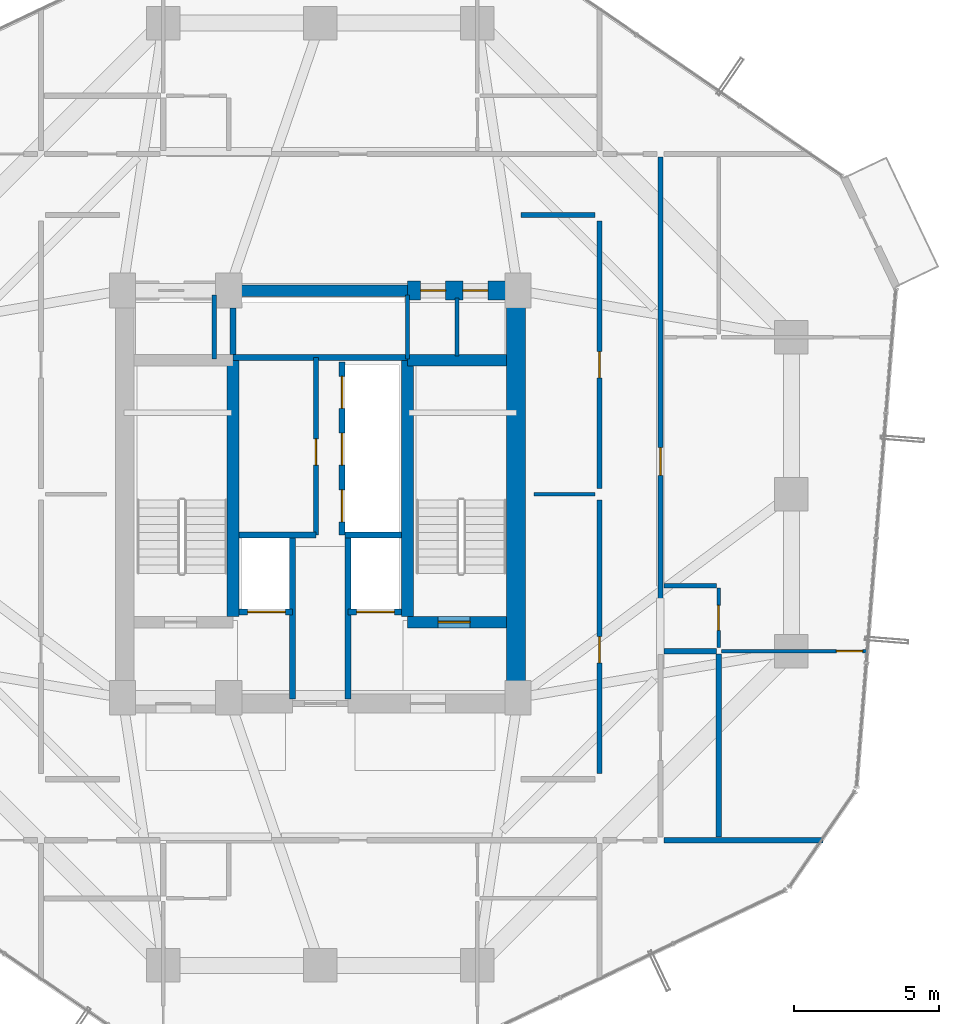
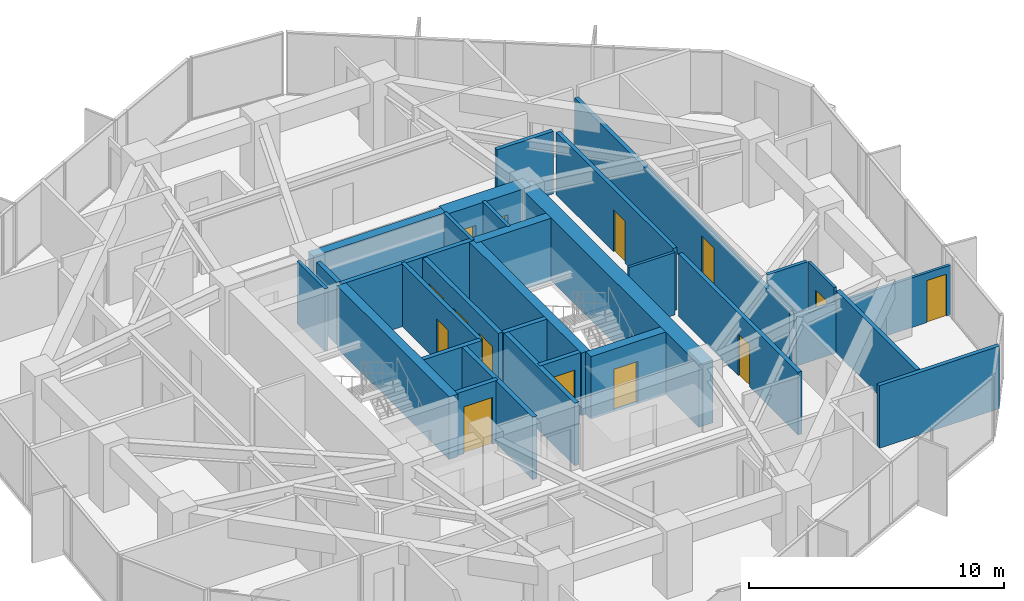
# One storey, part 27 of 30: 31 walls, 14 doors, 14 openings.
"""IFC4 building model written with IfcOpenShell, lengths in metres."""

from ifc_helpers import new_model, si_unit, direction, frame, frame_2d, origin, place, context, subcontext, project, spatial, rectangle, extrude, source, transform, mapped, material, layer, layer_set, type_object, element, fill, save


model = new_model("IFC4")

# Units and contexts
model_context = context("Model", 3, precision=1e-05, world=origin(), true_north=direction((0.0, 1.0)))
body_context = subcontext(model_context, "Body", "Model", "MODEL_VIEW")
ifc_project = project(units=[si_unit("LENGTHUNIT", "METRE"), si_unit("AREAUNIT", "SQUARE_METRE"), si_unit("VOLUMEUNIT", "CUBIC_METRE"), si_unit("PLANEANGLEUNIT", "RADIAN"), si_unit("MASSUNIT", "GRAM", prefix="KILO")], contexts=[model_context])

# Site, building, storey
site_placement = place(None, origin())
site = spatial("IfcSite", under=ifc_project, at=site_placement, CompositionType="ELEMENT")
building_placement = place(site_placement, origin())
building = spatial("IfcBuilding", under=site, at=building_placement, Name="Veraguas Prism Commons", CompositionType="ELEMENT")
storey_placement = place(building_placement, frame((0.0, 0.0, 113.25)))
storey = spatial("IfcBuildingStorey", under=building, at=storey_placement, Name="L31", CompositionType="ELEMENT", Elevation=113.25)

# Wall
ifc_material_1 = material(Name="Concrete C50/60", Category="concrete")
ifc_layer_1 = layer(ifc_material_1, 0.39990234375, Name="Clinic and Mid Core Shear Wall RC 400", Category="concrete")
ifc_layer_set_1 = layer_set([ifc_layer_1], Name="Concrete C50/60")
wall_type_1 = type_object("IfcWallType", Name="Clinic and Mid Core Shear Wall RC 400", PredefinedType="SHEAR", material=ifc_layer_set_1)
wall_1_placement = place(storey_placement, frame((21.0, 31.0, 0.0), z_axis=(0.0, 0.0, 1.0), x_axis=(1.0, 0.0, 0.0)))
element("IfcWall", 1, at=wall_1_placement, inside=storey, type_object=wall_type_1, Name="High-Rise Lift Bank Front Shear Wall L31", PredefinedType="SHEAR", context=body_context, shape_type="SweptSolid", body=[
    extrude(rectangle(XDim=6.0, YDim=0.39990234375, at=frame_2d((3.0, 0.0))), origin(), (0.0, 0.0, 1.0), 3.0),
])

# Wall, opening, door
wall_2_placement = place(storey_placement, frame((27.0, 19.60009765625, 0.0), z_axis=(0.0, 0.0, 1.0), x_axis=(1.0, 0.0, 0.0)))
wall_2 = element("IfcWall", 2, at=wall_2_placement, inside=storey, type_object=wall_type_1, Name="Stair ST-02 South Shear Wall L31", PredefinedType="SHEAR", context=body_context, shape_type="SweptSolid", body=[
    extrude(rectangle(XDim=3.39990234375, YDim=0.39990234375, at=frame_2d((1.699951171875, 0.0))), origin(), (0.0, 0.0, 1.0), 3.0),
])
opening_1_placement = place(wall_2_placement, frame((1.050048828125, 0.0, 0.0)))
opening_1 = element("IfcOpeningElement", 3, at=opening_1_placement, cuts=wall_2, Name="Opening DR-05", PredefinedType="OPENING", context=body_context, shape_type="SweptSolid", body=[
    extrude(rectangle(XDim=1.10009765625, YDim=2.030029296875, at=frame_2d((0.550048828125, 1.01513671875))), frame((0.0, 0.2099609375, 0.0), z_axis=(0.0, -1.0, 0.0), x_axis=(1.0, 0.0, 0.0)), (0.0, 0.0, 1.0), 0.419921875),
])
ifc_material_2 = material(Name="Steel fire-rated door assembly", Category="steel")
door_type_1 = type_object("IfcDoorType", Name="Protected Stair and Refuge Fire Door 1100x2030", OperationType="NOTDEFINED", PredefinedType="DOOR", material=ifc_material_2)
shared_shape_1 = source(origin(), body_context, "Body", "SweptSolid", [
    extrude(rectangle(XDim=1.10009765625, YDim=2.030029296875, at=frame_2d((0.550048828125, 1.01513671875))), frame((0.0, 0.02490234375, 0.0), z_axis=(0.0, -1.0, 0.0), x_axis=(1.0, 0.0, 0.0)), (0.0, 0.0, 1.0), 0.050048828125),
])
door_1_placement = place(opening_1_placement, origin())
door_1 = element("IfcDoor", 4, at=door_1_placement, inside=storey, type_object=door_type_1, Name="Stair ST-02 Enclosure Door L31", OperationType="SINGLE_SWING_RIGHT", OverallHeight=2.030029296875, OverallWidth=1.10009765625, PredefinedType="DOOR", context=body_context, shape_type="MappedRepresentation", body=[
    mapped(shared_shape_1, transform((0.0, 0.0, 0.0), scale=1.0)),
])
fill(opening_1, door_1)

# Walls
for number, where, z_axis, x_axis, name in (
    (5, (21.0, 19.800048828125, 0.0), (0.0, 0.0, 1.0), (0.0, 1.0, 0.0), "Stair ST-01 Inner Shear Wall L31"),
    (6, (27.0, 19.800048828125, 0.0), (0.0, 0.0, 1.0), (0.0, 1.0, 0.0), "Stair ST-02 Inner Shear Wall L31"),
):
    element("IfcWall", number, at=place(storey_placement, frame(where, z_axis=z_axis, x_axis=x_axis)), inside=storey, type_object=wall_type_1, Name=name, PredefinedType="SHEAR", context=body_context, shape_type="SweptSolid", body=[
        extrude(rectangle(XDim=8.800048828125, YDim=0.39990234375, at=frame_2d((4.39990234375, 0.0))), origin(), (0.0, 0.0, 1.0), 3.0),
    ])
wall_3_placement = place(storey_placement, frame((27.0, 28.60009765625, 0.0), z_axis=(0.0, 0.0, 1.0), x_axis=(1.0, 0.0, 0.0)))
element("IfcWall", 7, at=wall_3_placement, inside=storey, type_object=wall_type_1, Name="Stair ST-02 North Shear Wall L31", PredefinedType="SHEAR", context=body_context, shape_type="SweptSolid", body=[
    extrude(rectangle(XDim=3.39990234375, YDim=0.39990234375, at=frame_2d((1.699951171875, 0.0))), origin(), (0.0, 0.0, 1.0), 3.0),
])
ifc_material_3 = material(Name="Concrete C55/67", Category="concrete")
ifc_layer_2 = layer(ifc_material_3, 0.64990234375, Name="Core Outer Shear Wall Mid RC 650", Category="concrete")
ifc_layer_set_2 = layer_set([ifc_layer_2], Name="Concrete C55/67")
wall_type_2 = type_object("IfcWallType", Name="Core Outer Shear Wall Mid RC 650", PredefinedType="SHEAR", material=ifc_layer_set_2)
wall_4_placement = place(storey_placement, frame((30.72509765625, 16.800048828125, 0.0), z_axis=(0.0, 0.0, 1.0), x_axis=(0.0, 1.0, 0.0)))
element("IfcWall", 8, at=wall_4_placement, inside=storey, type_object=wall_type_2, Name="Central Core East Shear Wall L31", PredefinedType="SHEAR", context=body_context, shape_type="SweptSolid", body=[
    extrude(rectangle(XDim=14.199951171875, YDim=0.64990234375, at=frame_2d((7.10009765625, 0.0))), origin(), (0.0, 0.0, 1.0), 3.0),
])

# Wall, openings, doors
wall_5_placement = place(storey_placement, frame((27.0, 31.0, 0.0), z_axis=(0.0, 0.0, 1.0), x_axis=(1.0, 0.0, 0.0)))
wall_5 = element("IfcWall", 9, at=wall_5_placement, inside=storey, type_object=wall_type_2, Name="Central Core North-East Shear Wall L31", PredefinedType="SHEAR", context=body_context, shape_type="SweptSolid", body=[
    extrude(rectangle(XDim=3.800048828125, YDim=0.64990234375, at=frame_2d((1.89990234375, 0.0))), origin(), (0.0, 0.0, 1.0), 3.0),
])
opening_2_placement = place(wall_5_placement, frame((0.449951171875, 0.0, 0.0)))
opening_2 = element("IfcOpeningElement", 10, at=opening_2_placement, cuts=wall_5, Name="Opening DR-12", PredefinedType="OPENING", context=body_context, shape_type="SweptSolid", body=[
    extrude(rectangle(XDim=0.860107421875, YDim=2.010009765625, at=frame_2d((0.43017578125, 1.0048828125))), frame((0.0, 0.3349609375, 0.0), z_axis=(0.0, -1.0, 0.0), x_axis=(1.0, 0.0, 0.0)), (0.0, 0.0, 1.0), 0.669921875),
])
opening_3_placement = place(wall_5_placement, frame((1.89990234375, 0.0, 0.0)))
opening_3 = element("IfcOpeningElement", 11, at=opening_3_placement, cuts=wall_5, Name="Opening DR-12", PredefinedType="OPENING", context=body_context, shape_type="SweptSolid", body=[
    extrude(rectangle(XDim=0.860107421875, YDim=2.010009765625, at=frame_2d((0.43017578125, 1.0048828125))), frame((0.0, 0.3349609375, 0.0), z_axis=(0.0, -1.0, 0.0), x_axis=(1.0, 0.0, 0.0)), (0.0, 0.0, 1.0), 0.669921875),
])
door_type_2 = type_object("IfcDoorType", Name="Core WC Fire Door 860x2010", OperationType="NOTDEFINED", PredefinedType="DOOR", material=ifc_material_2)
shared_shape_2 = source(origin(), body_context, "Body", "SweptSolid", [
    extrude(rectangle(XDim=0.860107421875, YDim=2.010009765625, at=frame_2d((0.43017578125, 1.0048828125))), frame((0.0, 0.02490234375, 0.0), z_axis=(0.0, -1.0, 0.0), x_axis=(1.0, 0.0, 0.0)), (0.0, 0.0, 1.0), 0.050048828125),
])
door_2_placement = place(opening_2_placement, origin())
door_2 = element("IfcDoor", 12, at=door_2_placement, inside=storey, type_object=door_type_2, Name="Core NE Room A Door L31", OperationType="SINGLE_SWING_LEFT", OverallHeight=2.010009765625, OverallWidth=0.860107421875, PredefinedType="DOOR", context=body_context, shape_type="MappedRepresentation", body=[
    mapped(shared_shape_2, transform((0.0, 0.0, 0.0), scale=1.0)),
])
fill(opening_2, door_2)
door_3_placement = place(opening_3_placement, origin())
door_3 = element("IfcDoor", 13, at=door_3_placement, inside=storey, type_object=door_type_2, Name="Core NE Room B Door L31", OperationType="SINGLE_SWING_RIGHT", OverallHeight=2.010009765625, OverallWidth=0.860107421875, PredefinedType="DOOR", context=body_context, shape_type="MappedRepresentation", body=[
    mapped(shared_shape_2, transform((0.0, 0.0, 0.0), scale=1.0)),
])
fill(opening_3, door_3)

# Wall, opening, door
ifc_material_4 = material(Name="Autoclaved aerated masonry block 10 MPa", Category="masonry")
ifc_layer_3 = layer(ifc_material_4, 0.179931640625, Name="Corridor and Inter-Tenancy Partition 180", Category="masonry")
ifc_layer_set_3 = layer_set([ifc_layer_3], Name="Autoclaved aerated masonry block 10 MPa")
wall_type_3 = type_object("IfcWallType", Name="Corridor and Inter-Tenancy Partition 180", PredefinedType="PARTITIONING", material=ifc_layer_set_3)
wall_6_placement = place(storey_placement, frame((23.85009765625, 22.60009765625, 0.0), z_axis=(0.0, 0.0, 1.0), x_axis=(0.0, 1.0, 0.0)))
wall_6 = element("IfcWall", 14, at=wall_6_placement, inside=storey, type_object=wall_type_3, Name="Reading Room Partition L31", PredefinedType="PARTITIONING", context=body_context, shape_type="SweptSolid", body=[
    extrude(rectangle(XDim=6.099853515625, YDim=0.179931640625, at=frame_2d((3.0498046875, 0.0))), origin(), (0.0, 0.0, 1.0), 3.0),
])
opening_4_placement = place(wall_6_placement, frame((2.39990234375, 0.0, 0.0)))
opening_4 = element("IfcOpeningElement", 15, at=opening_4_placement, cuts=wall_6, Name="Opening DR-14", PredefinedType="OPENING", context=body_context, shape_type="SweptSolid", body=[
    extrude(rectangle(XDim=0.89990234375, YDim=2.010009765625, at=frame_2d((0.449951171875, 1.0048828125))), frame((0.0, 0.099853515625, 0.0), z_axis=(0.0, -1.0, 0.0), x_axis=(1.0, 0.0, 0.0)), (0.0, 0.0, 1.0), 0.199951171875),
])
door_type_3 = type_object("IfcDoorType", Name="Core Service Room Fire Door 900x2010", OperationType="NOTDEFINED", PredefinedType="DOOR", material=ifc_material_2)
shared_shape_3 = source(origin(), body_context, "Body", "SweptSolid", [
    extrude(rectangle(XDim=0.89990234375, YDim=2.010009765625, at=frame_2d((0.449951171875, 1.0048828125))), frame((0.0, 0.02490234375, 0.0), z_axis=(0.0, -1.0, 0.0), x_axis=(1.0, 0.0, 0.0)), (0.0, 0.0, 1.0), 0.050048828125),
])
door_4_placement = place(opening_4_placement, origin())
door_4 = element("IfcDoor", 16, at=door_4_placement, inside=storey, type_object=door_type_3, Name="Reading Room Door L31", OperationType="SINGLE_SWING_LEFT", OverallHeight=2.010009765625, OverallWidth=0.89990234375, PredefinedType="DOOR", context=body_context, shape_type="MappedRepresentation", body=[
    mapped(shared_shape_3, transform((0.0, 0.0, 0.0), scale=1.0)),
])
fill(opening_4, door_4)

wall_7_placement = place(storey_placement, frame((33.60009765625, 14.39990234375, 0.0), z_axis=(0.0, 0.0, 1.0), x_axis=(0.0, 1.0, 0.0)))
wall_7 = element("IfcWall", 17, at=wall_7_placement, inside=storey, type_object=wall_type_3, Name="WL-L31-IRE1", PredefinedType="PARTITIONING", context=body_context, shape_type="SweptSolid", body=[
    extrude(rectangle(XDim=9.400146484375, YDim=0.179931640625, at=frame_2d((4.7001953125, 0.0))), origin(), (0.0, 0.0, 1.0), 3.0),
])
opening_5_placement = place(wall_7_placement, frame((3.800048828125, 0.0, 0.0)))
opening_5 = element("IfcOpeningElement", 18, at=opening_5_placement, cuts=wall_7, Name="Opening DR-14", PredefinedType="OPENING", context=body_context, shape_type="SweptSolid", body=[
    extrude(rectangle(XDim=0.89990234375, YDim=2.010009765625, at=frame_2d((0.449951171875, 1.0048828125))), frame((0.0, 0.099853515625, 0.0), z_axis=(0.0, -1.0, 0.0), x_axis=(1.0, 0.0, 0.0)), (0.0, 0.0, 1.0), 0.199951171875),
])
door_5_placement = place(opening_5_placement, origin())
door_5 = element("IfcDoor", 19, at=door_5_placement, inside=storey, type_object=door_type_3, Name="Shared Laundry Annex Door L31", OperationType="SINGLE_SWING_RIGHT", OverallHeight=2.010009765625, OverallWidth=0.89990234375, PredefinedType="DOOR", context=body_context, shape_type="MappedRepresentation", body=[
    mapped(shared_shape_3, transform((0.0, 0.0, 0.0), scale=1.0)),
])
fill(opening_5, door_5)

wall_8_placement = place(storey_placement, frame((33.60009765625, 24.199951171875, 0.0), z_axis=(0.0, 0.0, 1.0), x_axis=(0.0, 1.0, 0.0)))
wall_8 = element("IfcWall", 20, at=wall_8_placement, inside=storey, type_object=wall_type_3, Name="WL-L31-IRE2", PredefinedType="PARTITIONING", context=body_context, shape_type="SweptSolid", body=[
    extrude(rectangle(XDim=9.199951171875, YDim=0.179931640625, at=frame_2d((4.60009765625, 0.0))), origin(), (0.0, 0.0, 1.0), 3.0),
])
opening_6_placement = place(wall_8_placement, frame((3.800048828125, 0.0, 0.0)))
opening_6 = element("IfcOpeningElement", 21, at=opening_6_placement, cuts=wall_8, Name="Opening DR-14", PredefinedType="OPENING", context=body_context, shape_type="SweptSolid", body=[
    extrude(rectangle(XDim=0.89990234375, YDim=2.010009765625, at=frame_2d((0.449951171875, 1.0048828125))), frame((0.0, 0.099853515625, 0.0), z_axis=(0.0, -1.0, 0.0), x_axis=(1.0, 0.0, 0.0)), (0.0, 0.0, 1.0), 0.199951171875),
])
door_6_placement = place(opening_6_placement, origin())
door_6 = element("IfcDoor", 22, at=door_6_placement, inside=storey, type_object=door_type_3, Name="Community Reading Alcove Door L31", OperationType="SINGLE_SWING_LEFT", OverallHeight=2.010009765625, OverallWidth=0.89990234375, PredefinedType="DOOR", context=body_context, shape_type="MappedRepresentation", body=[
    mapped(shared_shape_3, transform((0.0, 0.0, 0.0), scale=1.0)),
])
fill(opening_6, door_6)

# Walls
wall_9_placement = place(storey_placement, frame((30.89990234375, 33.60009765625, 0.0), z_axis=(0.0, 0.0, 1.0), x_axis=(1.0, 0.0, 0.0)))
element("IfcWall", 23, at=wall_9_placement, inside=storey, type_object=wall_type_3, Name="WL-L31-IREN", PredefinedType="PARTITIONING", context=body_context, shape_type="SweptSolid", body=[
    extrude(rectangle(XDim=2.550048828125, YDim=0.179931640625, at=frame_2d((1.27490234375, 0.0))), origin(), (0.0, 0.0, 1.0), 3.0),
])
wall_10_placement = place(storey_placement, frame((35.820068359375, 12.10009765625, 0.0), z_axis=(0.0, 0.0, 1.0), x_axis=(1.0, 0.0, 0.0)))
element("IfcWall", 24, at=wall_10_placement, inside=storey, type_object=wall_type_3, Name="WL-L31-PT034", PredefinedType="PARTITIONING", context=body_context, shape_type="SweptSolid", body=[
    extrude(rectangle(XDim=5.459716796875, YDim=0.179931640625, at=frame_2d((2.72998046875, 0.0))), origin(), (0.0, 0.0, 1.0), 3.0),
])

# Wall, opening, door
wall_11_placement = place(storey_placement, frame((35.699951171875, 18.7099609375, 0.0), z_axis=(0.0, 0.0, 1.0), x_axis=(0.0, 1.0, 0.0)))
wall_11 = element("IfcWall", 25, at=wall_11_placement, inside=storey, type_object=wall_type_3, Name="WL-L31-PT037", PredefinedType="PARTITIONING", context=body_context, shape_type="SweptSolid", body=[
    extrude(rectangle(XDim=16.880126953125, YDim=0.179931640625, at=frame_2d((8.43994140625, 0.0))), origin(), (0.0, 0.0, 1.0), 2.580078125),
])
opening_7_placement = place(wall_11_placement, frame((5.93994140625, 0.0, 0.0)))
opening_7 = element("IfcOpeningElement", 26, at=opening_7_placement, cuts=wall_11, Name="Opening DR-01", PredefinedType="OPENING", context=body_context, shape_type="SweptSolid", body=[
    extrude(rectangle(XDim=0.949951171875, YDim=2.02001953125, at=frame_2d((0.47509765625, 1.010009765625))), frame((0.0, 0.099853515625, 0.0), z_axis=(0.0, -1.0, 0.0), x_axis=(1.0, 0.0, 0.0)), (0.0, 0.0, 1.0), 0.199951171875),
])
ifc_material_5 = material(Name="Anodised aluminium EN AW-6063 T6", Category="aluminium")
door_type_4 = type_object("IfcDoorType", Name="Apartment Entrance Fire Door 950x2020", OperationType="NOTDEFINED", PredefinedType="DOOR", material=ifc_material_5)
shared_shape_4 = source(origin(), body_context, "Body", "SweptSolid", [
    extrude(rectangle(XDim=0.949951171875, YDim=2.02001953125, at=frame_2d((0.47509765625, 1.010009765625))), frame((0.0, 0.02490234375, 0.0), z_axis=(0.0, -1.0, 0.0), x_axis=(1.0, 0.0, 0.0)), (0.0, 0.0, 1.0), 0.050048828125),
])
door_7_placement = place(opening_7_placement, origin())
door_7 = element("IfcDoor", 27, at=door_7_placement, inside=storey, type_object=door_type_4, Name="Flat 31C Entrance Door", OperationType="SINGLE_SWING_LEFT", OverallHeight=2.02001953125, OverallWidth=0.949951171875, PredefinedType="DOOR", context=body_context, shape_type="MappedRepresentation", body=[
    mapped(shared_shape_4, transform((0.0, 0.0, 0.0), scale=1.0)),
])
fill(opening_7, door_7)

# Walls
wall_12_placement = place(storey_placement, frame((37.699951171875, 12.219970703125, 0.0), z_axis=(0.0, 0.0, 1.0), x_axis=(0.0, 1.0, 0.0)))
element("IfcWall", 28, at=wall_12_placement, inside=storey, type_object=wall_type_3, Name="WL-L31-PT038", PredefinedType="PARTITIONING", context=body_context, shape_type="SweptSolid", body=[
    extrude(rectangle(XDim=6.280029296875, YDim=0.179931640625, at=frame_2d((3.14013671875, 0.0))), origin(), (0.0, 0.0, 1.0), 3.0),
])
wall_13_placement = place(storey_placement, frame((35.820068359375, 18.60009765625, 0.0), z_axis=(0.0, 0.0, 1.0), x_axis=(1.0, 0.0, 0.0)))
element("IfcWall", 29, at=wall_13_placement, inside=storey, type_object=wall_type_3, Name="WL-L31-PT039", PredefinedType="PARTITIONING", context=body_context, shape_type="SweptSolid", body=[
    extrude(rectangle(XDim=1.800048828125, YDim=0.179931640625, at=frame_2d((0.89990234375, 0.0))), origin(), (0.0, 0.0, 1.0), 2.3779296875),
])
ifc_material_6 = material(Name="Lightweight acoustic gypsum board")
ifc_layer_4 = layer(ifc_material_6, 0.125, Name="Internal Apartment Room Partition 125")
ifc_layer_set_4 = layer_set([ifc_layer_4], Name="Lightweight acoustic gypsum board")
wall_type_4 = type_object("IfcWallType", Name="Internal Apartment Room Partition 125", PredefinedType="PARTITIONING", material=ifc_layer_set_4)
wall_14_placement = place(storey_placement, frame((31.35009765625, 24.0, 0.0), z_axis=(0.0, 0.0, 1.0), x_axis=(1.0, 0.0, 0.0)))
element("IfcWall", 30, at=wall_14_placement, inside=storey, type_object=wall_type_4, Name="WL-L31-IREM", PredefinedType="PARTITIONING", context=body_context, shape_type="SweptSolid", body=[
    extrude(rectangle(XDim=2.099853515625, YDim=0.125, at=frame_2d((1.0498046875, 0.0))), origin(), (0.0, 0.0, 1.0), 3.0),
])

# Wall, opening, door
wall_15_placement = place(storey_placement, frame((37.800048828125, 18.60009765625, 0.0), z_axis=(0.0, 0.0, 1.0), x_axis=(1.0, 0.0, 0.0)))
wall_15 = element("IfcWall", 31, at=wall_15_placement, inside=storey, type_object=wall_type_4, Name="WL-L31-PT040", PredefinedType="PARTITIONING", context=body_context, shape_type="SweptSolid", body=[
    extrude(rectangle(XDim=5.04541015625, YDim=0.125, at=frame_2d((2.522705078125, 0.0))), origin(), (0.0, 0.0, 1.0), 2.3779296875),
])
opening_8_placement = place(wall_15_placement, frame((3.945556640625, 0.0, 0.0)))
opening_8 = element("IfcOpeningElement", 32, at=opening_8_placement, cuts=wall_15, Name="Opening DR-02", PredefinedType="OPENING", context=body_context, shape_type="SweptSolid", body=[
    extrude(rectangle(XDim=0.89990234375, YDim=2.010009765625, at=frame_2d((0.449951171875, 1.0048828125))), frame((0.0, 0.072509765625, 0.0), z_axis=(0.0, -1.0, 0.0), x_axis=(1.0, 0.0, 0.0)), (0.0, 0.0, 1.0), 0.14501953125),
])
ifc_material_7 = material(Name="Timber solid core hardwood", Category="wood")
door_type_5 = type_object("IfcDoorType", Name="Internal Habitable Room Door 900x2010", OperationType="NOTDEFINED", PredefinedType="DOOR", material=ifc_material_7)
door_8_placement = place(opening_8_placement, origin())
door_8 = element("IfcDoor", 33, at=door_8_placement, inside=storey, type_object=door_type_5, Name="Flat 31C Bedroom 2 Door", OperationType="SINGLE_SWING_RIGHT", OverallHeight=2.010009765625, OverallWidth=0.89990234375, PredefinedType="DOOR", context=body_context, shape_type="MappedRepresentation", body=[
    mapped(shared_shape_3, transform((0.0, 0.0, 0.0), scale=1.0)),
])
fill(opening_8, door_8)

wall_16_placement = place(storey_placement, frame((37.699951171875, 18.719970703125, 0.0), z_axis=(0.0, 0.0, 1.0), x_axis=(0.0, 1.0, 0.0)))
wall_16 = element("IfcWall", 34, at=wall_16_placement, inside=storey, type_object=wall_type_4, Name="WL-L31-PT042", PredefinedType="PARTITIONING", context=body_context, shape_type="SweptSolid", body=[
    extrude(rectangle(XDim=2.050048828125, YDim=0.125, at=frame_2d((1.02490234375, 0.0))), origin(), (0.0, 0.0, 1.0), 3.0),
])
opening_9_placement = place(wall_16_placement, frame((0.594970703125, 0.0, 0.0)))
opening_9 = element("IfcOpeningElement", 35, at=opening_9_placement, cuts=wall_16, Name="Opening DR-03", PredefinedType="OPENING", context=body_context, shape_type="SweptSolid", body=[
    extrude(rectangle(XDim=0.860107421875, YDim=2.010009765625, at=frame_2d((0.43017578125, 1.0048828125))), frame((0.0, 0.072509765625, 0.0), z_axis=(0.0, -1.0, 0.0), x_axis=(1.0, 0.0, 0.0)), (0.0, 0.0, 1.0), 0.14501953125),
])
ifc_material_8 = material(Name="Timber moisture-resistant leaf", Category="wood")
door_type_6 = type_object("IfcDoorType", Name="Internal Bathroom Door 860x2010", OperationType="NOTDEFINED", PredefinedType="DOOR", material=ifc_material_8)
door_9_placement = place(opening_9_placement, origin())
door_9 = element("IfcDoor", 36, at=door_9_placement, inside=storey, type_object=door_type_6, Name="Flat 31C Bathroom Door", OperationType="SINGLE_SWING_LEFT", OverallHeight=2.010009765625, OverallWidth=0.860107421875, PredefinedType="DOOR", context=body_context, shape_type="MappedRepresentation", body=[
    mapped(shared_shape_2, transform((0.0, 0.0, 0.0), scale=1.0)),
])
fill(opening_9, door_9)

ifc_layer_5 = layer(ifc_material_4, 0.199951171875, Name="Rated Shaft and Lobby Block Wall 200", Category="masonry")
ifc_layer_set_5 = layer_set([ifc_layer_5], Name="Autoclaved aerated masonry block 10 MPa")
wall_type_5 = type_object("IfcWallType", Name="Rated Shaft and Lobby Block Wall 200", PredefinedType="SOLIDWALL", material=ifc_layer_set_5)
wall_17_placement = place(storey_placement, frame((21.199951171875, 19.949951171875, 0.0), z_axis=(0.0, 0.0, 1.0), x_axis=(1.0, 0.0, 0.0)))
wall_17 = element("IfcWall", 37, at=wall_17_placement, inside=storey, type_object=wall_type_5, Name="Firefighting Lift FFL-1 Front Wall L31", PredefinedType="SOLIDWALL", context=body_context, shape_type="SweptSolid", body=[
    extrude(rectangle(XDim=1.85009765625, YDim=0.199951171875, at=frame_2d((0.925048828125, 0.0))), origin(), (0.0, 0.0, 1.0), 3.0),
])
opening_10_placement = place(wall_17_placement, frame((0.300048828125, 0.0, 0.0)))
opening_10 = element("IfcOpeningElement", 38, at=opening_10_placement, cuts=wall_17, Name="Opening LD-02", PredefinedType="OPENING", context=body_context, shape_type="SweptSolid", body=[
    extrude(rectangle(XDim=1.300048828125, YDim=2.25, at=frame_2d((0.64990234375, 1.125))), frame((0.0, 0.10986328125, 0.0), z_axis=(0.0, -1.0, 0.0), x_axis=(1.0, 0.0, 0.0)), (0.0, 0.0, 1.0), 0.219970703125),
])
ifc_material_9 = material(Name="Stainless steel AISI 316", Category="steel")
door_type_7 = type_object("IfcDoorType", Name="Firefighting Lift Sliding Landing Door 1300x2250", OperationType="NOTDEFINED", PredefinedType="DOOR", material=ifc_material_9)
shared_shape_5 = source(origin(), body_context, "Body", "SweptSolid", [
    extrude(rectangle(XDim=1.300048828125, YDim=2.25, at=frame_2d((0.64990234375, 1.125))), frame((0.0, 0.02490234375, 0.0), z_axis=(0.0, -1.0, 0.0), x_axis=(1.0, 0.0, 0.0)), (0.0, 0.0, 1.0), 0.050048828125),
])
door_10_placement = place(opening_10_placement, origin())
door_10 = element("IfcDoor", 39, at=door_10_placement, inside=storey, type_object=door_type_7, Name="Firefighting Lift FFL-1 Landing Door L31", OperationType="SLIDING_TO_LEFT", OverallHeight=2.25, OverallWidth=1.300048828125, PredefinedType="DOOR", context=body_context, shape_type="MappedRepresentation", body=[
    mapped(shared_shape_5, transform((0.0, 0.0, 0.0), scale=1.0)),
])
fill(opening_10, door_10)

wall_18_placement = place(storey_placement, frame((24.949951171875, 19.949951171875, 0.0), z_axis=(0.0, 0.0, 1.0), x_axis=(1.0, 0.0, 0.0)))
wall_18 = element("IfcWall", 40, at=wall_18_placement, inside=storey, type_object=wall_type_5, Name="Firefighting Lift FFL-2 Front Wall L31", PredefinedType="SOLIDWALL", context=body_context, shape_type="SweptSolid", body=[
    extrude(rectangle(XDim=1.85009765625, YDim=0.199951171875, at=frame_2d((0.925048828125, 0.0))), origin(), (0.0, 0.0, 1.0), 3.0),
])
opening_11_placement = place(wall_18_placement, frame((0.300048828125, 0.0, 0.0)))
opening_11 = element("IfcOpeningElement", 41, at=opening_11_placement, cuts=wall_18, Name="Opening LD-02", PredefinedType="OPENING", context=body_context, shape_type="SweptSolid", body=[
    extrude(rectangle(XDim=1.300048828125, YDim=2.25, at=frame_2d((0.64990234375, 1.125))), frame((0.0, 0.10986328125, 0.0), z_axis=(0.0, -1.0, 0.0), x_axis=(1.0, 0.0, 0.0)), (0.0, 0.0, 1.0), 0.219970703125),
])
door_11_placement = place(opening_11_placement, origin())
door_11 = element("IfcDoor", 42, at=door_11_placement, inside=storey, type_object=door_type_7, Name="Firefighting Lift FFL-2 Front Wall L31", OperationType="SLIDING_TO_LEFT", OverallHeight=2.25, OverallWidth=1.300048828125, PredefinedType="DOOR", context=body_context, shape_type="MappedRepresentation", body=[
    mapped(shared_shape_5, transform((0.0, 0.0, 0.0), scale=1.0)),
])
fill(opening_11, door_11)

# Walls
for number, where, z_axis, x_axis, name in (
    (43, (23.050048828125, 16.949951171875, 0.0), (0.0, 0.0, 1.0), (0.0, 1.0, 0.0), "West FF Lobby Divider Wall L31"),
    (44, (24.949951171875, 16.949951171875, 0.0), (0.0, 0.0, 1.0), (0.0, 1.0, 0.0), "East FF Lobby Divider Wall L31"),
):
    element("IfcWall", number, at=place(storey_placement, frame(where, z_axis=z_axis, x_axis=x_axis)), inside=storey, type_object=wall_type_5, Name=name, PredefinedType="SOLIDWALL", context=body_context, shape_type="SweptSolid", body=[
        extrude(rectangle(XDim=5.60009765625, YDim=0.199951171875, at=frame_2d((2.800048828125, 0.0))), origin(), (0.0, 0.0, 1.0), 3.0),
    ])
wall_19_placement = place(storey_placement, frame((21.199951171875, 22.60009765625, 0.0), z_axis=(0.0, 0.0, 1.0), x_axis=(1.0, 0.0, 0.0)))
element("IfcWall", 45, at=wall_19_placement, inside=storey, type_object=wall_type_5, Name="Firefighting Lift FFL-1 Rear Wall L31", PredefinedType="SOLIDWALL", context=body_context, shape_type="SweptSolid", body=[
    extrude(rectangle(XDim=2.650146484375, YDim=0.199951171875, at=frame_2d((1.3251953125, 0.0))), origin(), (0.0, 0.0, 1.0), 3.0),
])
wall_20_placement = place(storey_placement, frame((24.85009765625, 22.60009765625, 0.0), z_axis=(0.0, 0.0, 1.0), x_axis=(1.0, 0.0, 0.0)))
element("IfcWall", 46, at=wall_20_placement, inside=storey, type_object=wall_type_5, Name="Firefighting Lift FFL-2 Rear Wall L31", PredefinedType="SOLIDWALL", context=body_context, shape_type="SweptSolid", body=[
    extrude(rectangle(XDim=1.949951171875, YDim=0.199951171875, at=frame_2d((0.97509765625, 0.0))), origin(), (0.0, 0.0, 1.0), 3.0),
])
wall_21_placement = place(storey_placement, frame((21.0, 28.699951171875, 0.0), z_axis=(0.0, 0.0, 1.0), x_axis=(1.0, 0.0, 0.0)))
element("IfcWall", 47, at=wall_21_placement, inside=storey, type_object=wall_type_5, Name="High-Rise Lift Bank Rear Shaft Wall L31", PredefinedType="SOLIDWALL", context=body_context, shape_type="SweptSolid", body=[
    extrude(rectangle(XDim=6.0, YDim=0.199951171875, at=frame_2d((3.0, 0.0))), origin(), (0.0, 0.0, 1.0), 3.0),
])
wall_22_placement = place(storey_placement, frame((21.0, 28.800048828125, 0.0), z_axis=(0.0, 0.0, 1.0), x_axis=(0.0, 1.0, 0.0)))
element("IfcWall", 48, at=wall_22_placement, inside=storey, type_object=wall_type_5, Name="High-Rise Lift Bank West Shaft Wall L31", PredefinedType="SOLIDWALL", context=body_context, shape_type="SweptSolid", body=[
    extrude(rectangle(XDim=1.599853515625, YDim=0.199951171875, at=frame_2d((0.7998046875, 0.0))), origin(), (0.0, 0.0, 1.0), 3.0),
])

# Wall, openings, doors
wall_23_placement = place(storey_placement, frame((24.75, 22.60009765625, 0.0), z_axis=(0.0, 0.0, 1.0), x_axis=(0.0, 1.0, 0.0)))
wall_23 = element("IfcWall", 49, at=wall_23_placement, inside=storey, type_object=wall_type_5, Name="Mid-Rise Lift Bank Front Wall L31", PredefinedType="SOLIDWALL", context=body_context, shape_type="SweptSolid", body=[
    extrude(rectangle(XDim=5.949951171875, YDim=0.199951171875, at=frame_2d((2.97509765625, 0.0))), origin(), (0.0, 0.0, 1.0), 3.0),
])
opening_12_placement = place(wall_23_placement, frame((0.449951171875, 0.0, 0.0)))
opening_12 = element("IfcOpeningElement", 50, at=opening_12_placement, cuts=wall_23, Name="Opening LD-01", PredefinedType="OPENING", context=body_context, shape_type="SweptSolid", body=[
    extrude(rectangle(XDim=1.10009765625, YDim=2.080078125, at=frame_2d((0.550048828125, 1.0400390625))), frame((0.0, 0.10986328125, 0.0), z_axis=(0.0, -1.0, 0.0), x_axis=(1.0, 0.0, 0.0)), (0.0, 0.0, 1.0), 0.219970703125),
])
opening_13_placement = place(wall_23_placement, frame((2.39990234375, 0.0, 0.0)))
opening_13 = element("IfcOpeningElement", 51, at=opening_13_placement, cuts=wall_23, Name="Opening LD-01", PredefinedType="OPENING", context=body_context, shape_type="SweptSolid", body=[
    extrude(rectangle(XDim=1.10009765625, YDim=2.080078125, at=frame_2d((0.550048828125, 1.0400390625))), frame((0.0, 0.10986328125, 0.0), z_axis=(0.0, -1.0, 0.0), x_axis=(1.0, 0.0, 0.0)), (0.0, 0.0, 1.0), 0.219970703125),
])
opening_14_placement = place(wall_23_placement, frame((4.35009765625, 0.0, 0.0)))
opening_14 = element("IfcOpeningElement", 52, at=opening_14_placement, cuts=wall_23, Name="Opening LD-01", PredefinedType="OPENING", context=body_context, shape_type="SweptSolid", body=[
    extrude(rectangle(XDim=1.10009765625, YDim=2.080078125, at=frame_2d((0.550048828125, 1.0400390625))), frame((0.0, 0.10986328125, 0.0), z_axis=(0.0, -1.0, 0.0), x_axis=(1.0, 0.0, 0.0)), (0.0, 0.0, 1.0), 0.219970703125),
])
door_type_8 = type_object("IfcDoorType", Name="Passenger Lift Sliding Landing Door 1100x2080", OperationType="NOTDEFINED", PredefinedType="DOOR", material=ifc_material_9)
shared_shape_6 = source(origin(), body_context, "Body", "SweptSolid", [
    extrude(rectangle(XDim=1.10009765625, YDim=2.080078125, at=frame_2d((0.550048828125, 1.0400390625))), frame((0.0, 0.02490234375, 0.0), z_axis=(0.0, -1.0, 0.0), x_axis=(1.0, 0.0, 0.0)), (0.0, 0.0, 1.0), 0.050048828125),
])
door_12_placement = place(opening_12_placement, origin())
door_12 = element("IfcDoor", 53, at=door_12_placement, inside=storey, type_object=door_type_8, Name="Sliding Landing Door PL-M1 L31", OperationType="SLIDING_TO_LEFT", OverallHeight=2.080078125, OverallWidth=1.10009765625, PredefinedType="DOOR", context=body_context, shape_type="MappedRepresentation", body=[
    mapped(shared_shape_6, transform((0.0, 0.0, 0.0), scale=1.0)),
])
fill(opening_12, door_12)
door_13_placement = place(opening_13_placement, origin())
door_13 = element("IfcDoor", 54, at=door_13_placement, inside=storey, type_object=door_type_8, Name="Sliding Landing Door PL-M2 L31", OperationType="SLIDING_TO_LEFT", OverallHeight=2.080078125, OverallWidth=1.10009765625, PredefinedType="DOOR", context=body_context, shape_type="MappedRepresentation", body=[
    mapped(shared_shape_6, transform((0.0, 0.0, 0.0), scale=1.0)),
])
fill(opening_13, door_13)
door_14_placement = place(opening_14_placement, origin())
door_14 = element("IfcDoor", 55, at=door_14_placement, inside=storey, type_object=door_type_8, Name="Sliding Landing Door PL-M3 L31", OperationType="SLIDING_TO_LEFT", OverallHeight=2.080078125, OverallWidth=1.10009765625, PredefinedType="DOOR", context=body_context, shape_type="MappedRepresentation", body=[
    mapped(shared_shape_6, transform((0.0, 0.0, 0.0), scale=1.0)),
])
fill(opening_14, door_14)

# Walls
ifc_layer_6 = layer(ifc_material_6, 0.14990234375, Name="Wet Room and Clinic Acoustic Partition 150")
ifc_layer_set_6 = layer_set([ifc_layer_6], Name="Lightweight acoustic gypsum board")
wall_type_6 = type_object("IfcWallType", Name="Wet Room and Clinic Acoustic Partition 150", PredefinedType="PARTITIONING", material=ifc_layer_set_6)
for number, where, z_axis, x_axis, name in (
    (56, (20.35009765625, 28.64990234375, 0.0), (0.0, 0.0, 1.0), (0.0, 1.0, 0.0), "Core NW Service Inner Wall L31"),
    (57, (27.0, 28.64990234375, 0.0), (0.0, 0.0, 1.0), (0.0, 1.0, 0.0), "Core NE Service Inner Wall L31"),
):
    element("IfcWall", number, at=place(storey_placement, frame(where, z_axis=z_axis, x_axis=x_axis)), inside=storey, type_object=wall_type_6, Name=name, PredefinedType="PARTITIONING", context=body_context, shape_type="SweptSolid", body=[
        extrude(rectangle(XDim=2.2001953125, YDim=0.14990234375, at=frame_2d((1.10009765625, 0.0))), origin(), (0.0, 0.0, 1.0), 3.0),
    ])
wall_24_placement = place(storey_placement, frame((28.699951171875, 28.75, 0.0), z_axis=(0.0, 0.0, 1.0), x_axis=(0.0, 1.0, 0.0)))
element("IfcWall", 58, at=wall_24_placement, inside=storey, type_object=wall_type_6, Name="WL-L31-CSVD1", PredefinedType="PARTITIONING", context=body_context, shape_type="SweptSolid", body=[
    extrude(rectangle(XDim=2.0, YDim=0.14990234375, at=frame_2d((1.0, 0.0))), origin(), (0.0, 0.0, 1.0), 3.0),
])
wall_25_placement = place(storey_placement, frame((35.820068359375, 20.85009765625, 0.0), z_axis=(0.0, 0.0, 1.0), x_axis=(1.0, 0.0, 0.0)))
element("IfcWall", 59, at=wall_25_placement, inside=storey, type_object=wall_type_6, Name="WL-L31-PT041", PredefinedType="PARTITIONING", context=body_context, shape_type="SweptSolid", body=[
    extrude(rectangle(XDim=1.800048828125, YDim=0.14990234375, at=frame_2d((0.89990234375, 0.0))), origin(), (0.0, 0.0, 1.0), 3.0),
])

save(model, "model.ifc")
